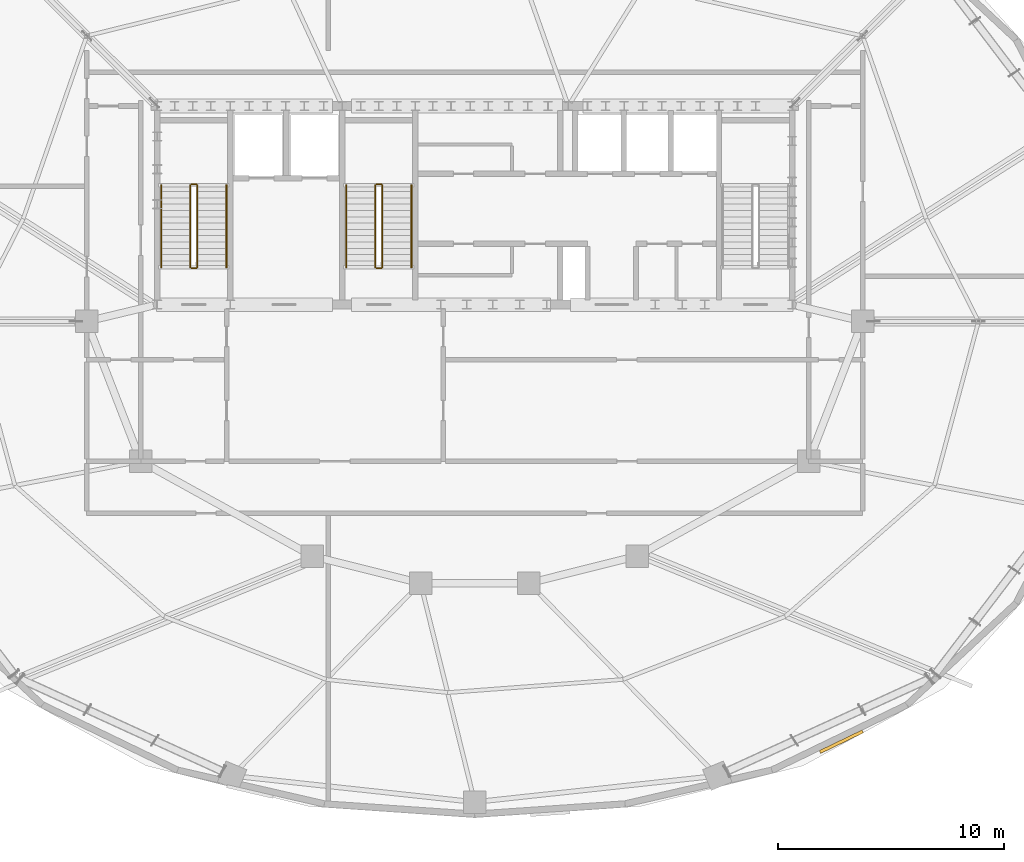
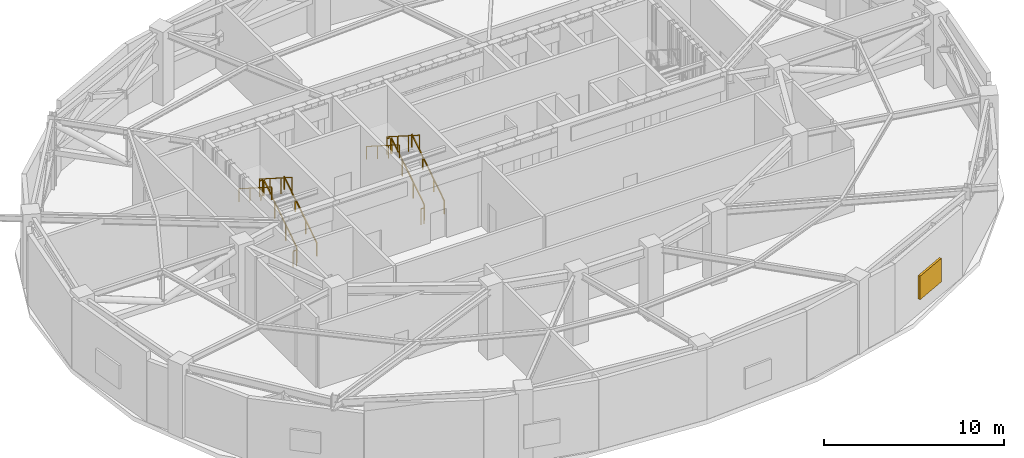
# One storey, part 18 of 20: 12 railings, 1 shading device.
"""IFC4 building model written with IfcOpenShell, lengths in metres."""

from ifc_helpers import new_model, si_unit, direction, frame, origin, origin_2d, place, context, subcontext, project, spatial, rectangle, extrude, material, type_object, element, save


model = new_model("IFC4")

# Units and contexts
model_context = context("Model", 3, precision=1e-05, world=origin(), true_north=direction((0.0, 1.0)))
body_context = subcontext(model_context, "Body", "Model", "MODEL_VIEW")
ifc_project = project(units=[si_unit("LENGTHUNIT", "METRE"), si_unit("AREAUNIT", "SQUARE_METRE"), si_unit("VOLUMEUNIT", "CUBIC_METRE"), si_unit("PLANEANGLEUNIT", "RADIAN"), si_unit("MASSUNIT", "GRAM", prefix="KILO")], contexts=[model_context])

# Site, building, storey
site_placement = place(None, origin())
site = spatial("IfcSite", under=ifc_project, at=site_placement, CompositionType="ELEMENT")
building_placement = place(site_placement, origin())
building = spatial("IfcBuilding", under=site, at=building_placement, Name="Haldorwick Loom Tower", CompositionType="ELEMENT")
storey_placement = place(building_placement, frame((0.0, 0.0, 222.10009765625)))
storey = spatial("IfcBuildingStorey", under=building, at=storey_placement, Name="L60", CompositionType="ELEMENT", Elevation=222.10009765625)

# Railings
ifc_material_1 = material(Name="Steel CSA G40.21 350W", Category="steel")
railing_type_1 = type_object("IfcRailingType", Name="ARC-RLG-GUARD112", PredefinedType="GUARDRAIL", material=ifc_material_1)
railing_1_placement = place(storey_placement, frame((23.699951171875, 28.39990234375, 0.178466796875)))
element("IfcRailing", 1, at=railing_1_placement, inside=storey, type_object=railing_type_1, Name="L60 ST-01 stair guard 1", PredefinedType="GUARDRAIL", context=body_context, shape_type="SweptSolid", body=[
    extrude(rectangle(XDim=0.048095703125, YDim=0.048095703125, at=origin_2d()), frame((0.0, 0.0, 1.076171875), z_axis=(0.0, 0.843127859045, 0.537713132908), x_axis=(-1.0, 0.0, 0.0)), (0.0, 0.0, 1.0), 4.3173828125),
    extrude(rectangle(XDim=0.0419921875, YDim=0.0419921875, at=origin_2d()), origin(), (0.0, 0.0, 1.0), 1.052001953125),
    extrude(rectangle(XDim=0.0419921875, YDim=0.0419921875, at=origin_2d()), frame((0.0, 1.21337890625, 0.77392578125)), (0.0, 0.0, 1.0), 1.052001953125),
    extrude(rectangle(XDim=0.0419921875, YDim=0.0419921875, at=origin_2d()), frame((0.0, 2.4267578125, 1.547607421875)), (0.0, 0.0, 1.0), 1.052001953125),
    extrude(rectangle(XDim=0.0419921875, YDim=0.0419921875, at=origin_2d()), frame((0.0, 3.64013671875, 2.321533203125)), (0.0, 0.0, 1.0), 1.052001953125),
])
railing_2_placement = place(storey_placement, frame((23.64990234375, 32.090087890625, 2.5)))
element("IfcRailing", 2, at=railing_2_placement, inside=storey, type_object=railing_type_1, Name="L60 ST-01 stair guard 2", PredefinedType="GUARDRAIL", context=body_context, shape_type="SweptSolid", body=[
    extrude(rectangle(XDim=0.048095703125, YDim=0.048095703125, at=origin_2d()), frame((0.0, 0.0, 1.076171875), z_axis=(-1.0, 0.0, 0.0), x_axis=(0.0, -1.0, 0.0)), (0.0, 0.0, 1.0), 0.199951171875),
    extrude(rectangle(XDim=0.0419921875, YDim=0.0419921875, at=origin_2d()), origin(), (0.0, 0.0, 1.0), 1.052001953125),
    extrude(rectangle(XDim=0.0419921875, YDim=0.0419921875, at=origin_2d()), frame((-0.199951171875, 0.0, 0.0)), (0.0, 0.0, 1.0), 1.052001953125),
])
railing_3_placement = place(storey_placement, frame((23.39990234375, 32.0400390625, 2.678466796875)))
element("IfcRailing", 3, at=railing_3_placement, inside=storey, type_object=railing_type_1, Name="L60 ST-01 stair guard 3", PredefinedType="GUARDRAIL", context=body_context, shape_type="SweptSolid", body=[
    extrude(rectangle(XDim=0.048095703125, YDim=0.048095703125, at=origin_2d()), frame((0.0, 0.0, 1.076171875), z_axis=(0.0, -0.843127859045, 0.537713132908), x_axis=(1.0, 0.0, 0.0)), (0.0, 0.0, 1.0), 4.3173828125),
    extrude(rectangle(XDim=0.0419921875, YDim=0.0419921875, at=origin_2d()), origin(), (0.0, 0.0, 1.0), 1.052001953125),
    extrude(rectangle(XDim=0.0419921875, YDim=0.0419921875, at=origin_2d()), frame((0.0, -1.21337890625, 0.77392578125)), (0.0, 0.0, 1.0), 1.052001953125),
    extrude(rectangle(XDim=0.0419921875, YDim=0.0419921875, at=origin_2d()), frame((0.0, -2.4267578125, 1.547607421875)), (0.0, 0.0, 1.0), 1.052001953125),
    extrude(rectangle(XDim=0.0419921875, YDim=0.0419921875, at=origin_2d()), frame((0.0, -3.64013671875, 2.321533203125)), (0.0, 0.0, 1.0), 1.052001953125),
])
railing_4_placement = place(storey_placement, frame((23.64990234375, 28.35009765625, 0.0)))
element("IfcRailing", 4, at=railing_4_placement, inside=storey, type_object=railing_type_1, Name="L60 ST-01 stair guard 4", PredefinedType="GUARDRAIL", context=body_context, shape_type="SweptSolid", body=[
    extrude(rectangle(XDim=0.048095703125, YDim=0.048095703125, at=origin_2d()), frame((0.0, 0.0, 1.076171875), z_axis=(-1.0, 0.0, 0.0), x_axis=(0.0, -1.0, 0.0)), (0.0, 0.0, 1.0), 0.199951171875),
    extrude(rectangle(XDim=0.0419921875, YDim=0.0419921875, at=origin_2d()), origin(), (0.0, 0.0, 1.0), 1.052001953125),
    extrude(rectangle(XDim=0.0419921875, YDim=0.0419921875, at=origin_2d()), frame((-0.199951171875, 0.0, 0.0)), (0.0, 0.0, 1.0), 1.052001953125),
])
railing_5_placement = place(storey_placement, frame((31.89990234375, 28.39990234375, 0.178466796875)))
element("IfcRailing", 5, at=railing_5_placement, inside=storey, type_object=railing_type_1, Name="L60 ST-03 stair guard 1", PredefinedType="GUARDRAIL", context=body_context, shape_type="SweptSolid", body=[
    extrude(rectangle(XDim=0.048095703125, YDim=0.048095703125, at=origin_2d()), frame((0.0, 0.0, 1.076171875), z_axis=(0.0, 0.843127859045, 0.537713132908), x_axis=(-1.0, 0.0, 0.0)), (0.0, 0.0, 1.0), 4.3173828125),
    extrude(rectangle(XDim=0.0419921875, YDim=0.0419921875, at=origin_2d()), origin(), (0.0, 0.0, 1.0), 1.052001953125),
    extrude(rectangle(XDim=0.0419921875, YDim=0.0419921875, at=origin_2d()), frame((0.0, 1.21337890625, 0.77392578125)), (0.0, 0.0, 1.0), 1.052001953125),
    extrude(rectangle(XDim=0.0419921875, YDim=0.0419921875, at=origin_2d()), frame((0.0, 2.4267578125, 1.547607421875)), (0.0, 0.0, 1.0), 1.052001953125),
    extrude(rectangle(XDim=0.0419921875, YDim=0.0419921875, at=origin_2d()), frame((0.0, 3.64013671875, 2.321533203125)), (0.0, 0.0, 1.0), 1.052001953125),
])
railing_6_placement = place(storey_placement, frame((31.85009765625, 32.090087890625, 2.5)))
element("IfcRailing", 6, at=railing_6_placement, inside=storey, type_object=railing_type_1, Name="L60 ST-03 stair guard 2", PredefinedType="GUARDRAIL", context=body_context, shape_type="SweptSolid", body=[
    extrude(rectangle(XDim=0.048095703125, YDim=0.048095703125, at=origin_2d()), frame((0.0, 0.0, 1.076171875), z_axis=(-1.0, 0.0, 0.0), x_axis=(0.0, -1.0, 0.0)), (0.0, 0.0, 1.0), 0.2001953125),
    extrude(rectangle(XDim=0.0419921875, YDim=0.0419921875, at=origin_2d()), origin(), (0.0, 0.0, 1.0), 1.052001953125),
    extrude(rectangle(XDim=0.0419921875, YDim=0.0419921875, at=origin_2d()), frame((-0.2001953125, 0.0, 0.0)), (0.0, 0.0, 1.0), 1.052001953125),
])
railing_7_placement = place(storey_placement, frame((31.60009765625, 32.0400390625, 2.678466796875)))
element("IfcRailing", 7, at=railing_7_placement, inside=storey, type_object=railing_type_1, Name="L60 ST-03 stair guard 3", PredefinedType="GUARDRAIL", context=body_context, shape_type="SweptSolid", body=[
    extrude(rectangle(XDim=0.048095703125, YDim=0.048095703125, at=origin_2d()), frame((0.0, 0.0, 1.076171875), z_axis=(0.0, -0.843127859045, 0.537713132908), x_axis=(1.0, 0.0, 0.0)), (0.0, 0.0, 1.0), 4.3173828125),
    extrude(rectangle(XDim=0.0419921875, YDim=0.0419921875, at=origin_2d()), origin(), (0.0, 0.0, 1.0), 1.052001953125),
    extrude(rectangle(XDim=0.0419921875, YDim=0.0419921875, at=origin_2d()), frame((0.0, -1.21337890625, 0.77392578125)), (0.0, 0.0, 1.0), 1.052001953125),
    extrude(rectangle(XDim=0.0419921875, YDim=0.0419921875, at=origin_2d()), frame((0.0, -2.4267578125, 1.547607421875)), (0.0, 0.0, 1.0), 1.052001953125),
    extrude(rectangle(XDim=0.0419921875, YDim=0.0419921875, at=origin_2d()), frame((0.0, -3.64013671875, 2.321533203125)), (0.0, 0.0, 1.0), 1.052001953125),
])
railing_8_placement = place(storey_placement, frame((31.85009765625, 28.35009765625, 0.0)))
element("IfcRailing", 8, at=railing_8_placement, inside=storey, type_object=railing_type_1, Name="L60 ST-03 stair guard 4", PredefinedType="GUARDRAIL", context=body_context, shape_type="SweptSolid", body=[
    extrude(rectangle(XDim=0.048095703125, YDim=0.048095703125, at=origin_2d()), frame((0.0, 0.0, 1.076171875), z_axis=(-1.0, 0.0, 0.0), x_axis=(0.0, -1.0, 0.0)), (0.0, 0.0, 1.0), 0.2001953125),
    extrude(rectangle(XDim=0.0419921875, YDim=0.0419921875, at=origin_2d()), origin(), (0.0, 0.0, 1.0), 1.052001953125),
    extrude(rectangle(XDim=0.0419921875, YDim=0.0419921875, at=origin_2d()), frame((-0.2001953125, 0.0, 0.0)), (0.0, 0.0, 1.0), 1.052001953125),
])
railing_type_2 = type_object("IfcRailingType", Name="ARC-RLG-HAND092", PredefinedType="HANDRAIL", material=ifc_material_1)
railing_9_placement = place(storey_placement, frame((25.0, 28.39990234375, 0.178466796875)))
element("IfcRailing", 9, at=railing_9_placement, inside=storey, type_object=railing_type_2, Name="L60 ST-01 stair handrail 1", PredefinedType="HANDRAIL", context=body_context, shape_type="SweptSolid", body=[
    extrude(rectangle(XDim=0.048095703125, YDim=0.048095703125, at=origin_2d()), frame((0.0, 0.0, 0.8759765625), z_axis=(0.0, 0.843127859045, 0.537713132908), x_axis=(-1.0, 0.0, 0.0)), (0.0, 0.0, 1.0), 4.3173828125),
    extrude(rectangle(XDim=0.0419921875, YDim=0.0419921875, at=origin_2d()), origin(), (0.0, 0.0, 1.0), 0.851806640625),
    extrude(rectangle(XDim=0.0419921875, YDim=0.0419921875, at=origin_2d()), frame((0.0, 1.21337890625, 0.77392578125)), (0.0, 0.0, 1.0), 0.851806640625),
    extrude(rectangle(XDim=0.0419921875, YDim=0.0419921875, at=origin_2d()), frame((0.0, 2.4267578125, 1.547607421875)), (0.0, 0.0, 1.0), 0.851806640625),
    extrude(rectangle(XDim=0.0419921875, YDim=0.0419921875, at=origin_2d()), frame((0.0, 3.64013671875, 2.321533203125)), (0.0, 0.0, 1.0), 0.851806640625),
])
railing_10_placement = place(storey_placement, frame((22.10009765625, 32.0400390625, 2.678466796875)))
element("IfcRailing", 10, at=railing_10_placement, inside=storey, type_object=railing_type_2, Name="L60 ST-01 stair handrail 2", PredefinedType="HANDRAIL", context=body_context, shape_type="SweptSolid", body=[
    extrude(rectangle(XDim=0.048095703125, YDim=0.048095703125, at=origin_2d()), frame((0.0, 0.0, 0.8759765625), z_axis=(0.0, -0.843127859045, 0.537713132908), x_axis=(1.0, 0.0, 0.0)), (0.0, 0.0, 1.0), 4.3173828125),
    extrude(rectangle(XDim=0.0419921875, YDim=0.0419921875, at=origin_2d()), origin(), (0.0, 0.0, 1.0), 0.851806640625),
    extrude(rectangle(XDim=0.0419921875, YDim=0.0419921875, at=origin_2d()), frame((0.0, -1.21337890625, 0.77392578125)), (0.0, 0.0, 1.0), 0.851806640625),
    extrude(rectangle(XDim=0.0419921875, YDim=0.0419921875, at=origin_2d()), frame((0.0, -2.4267578125, 1.547607421875)), (0.0, 0.0, 1.0), 0.851806640625),
    extrude(rectangle(XDim=0.0419921875, YDim=0.0419921875, at=origin_2d()), frame((0.0, -3.64013671875, 2.321533203125)), (0.0, 0.0, 1.0), 0.851806640625),
])
railing_11_placement = place(storey_placement, frame((33.199951171875, 28.39990234375, 0.178466796875)))
element("IfcRailing", 11, at=railing_11_placement, inside=storey, type_object=railing_type_2, Name="L60 ST-03 stair handrail 1", PredefinedType="HANDRAIL", context=body_context, shape_type="SweptSolid", body=[
    extrude(rectangle(XDim=0.048095703125, YDim=0.048095703125, at=origin_2d()), frame((0.0, 0.0, 0.8759765625), z_axis=(0.0, 0.843127859045, 0.537713132908), x_axis=(-1.0, 0.0, 0.0)), (0.0, 0.0, 1.0), 4.3173828125),
    extrude(rectangle(XDim=0.0419921875, YDim=0.0419921875, at=origin_2d()), origin(), (0.0, 0.0, 1.0), 0.851806640625),
    extrude(rectangle(XDim=0.0419921875, YDim=0.0419921875, at=origin_2d()), frame((0.0, 1.21337890625, 0.77392578125)), (0.0, 0.0, 1.0), 0.851806640625),
    extrude(rectangle(XDim=0.0419921875, YDim=0.0419921875, at=origin_2d()), frame((0.0, 2.4267578125, 1.547607421875)), (0.0, 0.0, 1.0), 0.851806640625),
    extrude(rectangle(XDim=0.0419921875, YDim=0.0419921875, at=origin_2d()), frame((0.0, 3.64013671875, 2.321533203125)), (0.0, 0.0, 1.0), 0.851806640625),
])
railing_12_placement = place(storey_placement, frame((30.300048828125, 32.0400390625, 2.678466796875)))
element("IfcRailing", 12, at=railing_12_placement, inside=storey, type_object=railing_type_2, Name="L60 ST-03 stair handrail 2", PredefinedType="HANDRAIL", context=body_context, shape_type="SweptSolid", body=[
    extrude(rectangle(XDim=0.048095703125, YDim=0.048095703125, at=origin_2d()), frame((0.0, 0.0, 0.8759765625), z_axis=(0.0, -0.843127859045, 0.537713132908), x_axis=(1.0, 0.0, 0.0)), (0.0, 0.0, 1.0), 4.3173828125),
    extrude(rectangle(XDim=0.0419921875, YDim=0.0419921875, at=origin_2d()), origin(), (0.0, 0.0, 1.0), 0.851806640625),
    extrude(rectangle(XDim=0.0419921875, YDim=0.0419921875, at=origin_2d()), frame((0.0, -1.21337890625, 0.77392578125)), (0.0, 0.0, 1.0), 0.851806640625),
    extrude(rectangle(XDim=0.0419921875, YDim=0.0419921875, at=origin_2d()), frame((0.0, -2.4267578125, 1.547607421875)), (0.0, 0.0, 1.0), 0.851806640625),
    extrude(rectangle(XDim=0.0419921875, YDim=0.0419921875, at=origin_2d()), frame((0.0, -3.64013671875, 2.321533203125)), (0.0, 0.0, 1.0), 0.851806640625),
])

# Shading device
ifc_material_2 = material(Name="Extruded Anodized Aluminium Weather Louvre", Category="aluminium")
shading_device_type = type_object("IfcShadingDeviceType", Name="ARC-SHD-LOUVRE", PredefinedType="JALOUSIE", material=ifc_material_2)
shading_device_placement = place(storey_placement, frame((52.255859375, 7.3720703125, 1.0498046875), z_axis=(0.0, 0.0, 1.0), x_axis=(0.900318771402, 0.435231099372, 0.0)))
element("IfcShadingDevice", 13, at=shading_device_placement, inside=storey, type_object=shading_device_type, Name="L60 Mechanical Intake Weather Louvre 21", PredefinedType="JALOUSIE", context=body_context, shape_type="SweptSolid", body=[
    extrude(rectangle(XDim=2.10009765625, YDim=0.139892578125, at=origin_2d()), origin(), (0.0, 0.0, 1.0), 1.60009765625),
])

save(model, "model.ifc")
